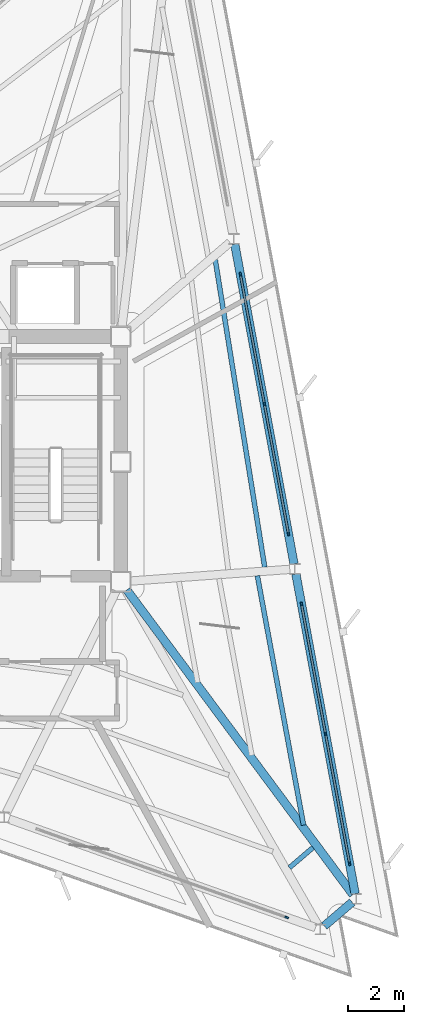
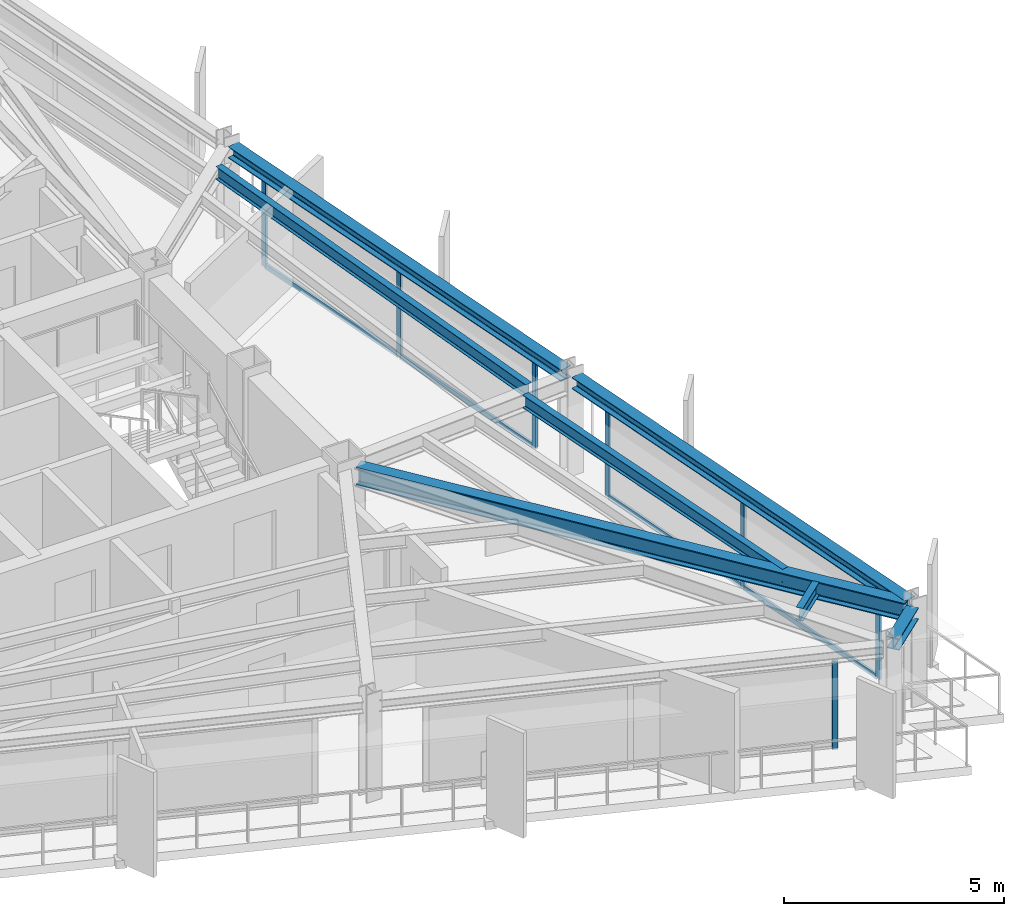
# One storey, part 6 of 14: 15 members, 7 beams, 3 elements without a shape of their own.
"""IFC4 building model written with IfcOpenShell, lengths in metres."""

from ifc_helpers import new_model, si_unit, direction, frame, origin, origin_2d, place, context, subcontext, project, spatial, rectangle, i_section, extrude, material, layer, layer_set, material_profile, profile_set, type_object, element, aggregate, save


model = new_model("IFC4")

# Units and contexts
model_context = context("Model", 3, precision=1e-05, world=origin(), true_north=direction((0.0, 1.0)))
body_context = subcontext(model_context, "Body", "Model", "MODEL_VIEW")
ifc_project = project(units=[si_unit("LENGTHUNIT", "METRE"), si_unit("AREAUNIT", "SQUARE_METRE"), si_unit("VOLUMEUNIT", "CUBIC_METRE"), si_unit("PLANEANGLEUNIT", "RADIAN"), si_unit("MASSUNIT", "GRAM", prefix="KILO")], contexts=[model_context])

# Site, building, storey
site_placement = place(None, origin())
site = spatial("IfcSite", under=ifc_project, at=site_placement, CompositionType="ELEMENT")
building_placement = place(site_placement, origin())
building = spatial("IfcBuilding", under=site, at=building_placement, Name="Rocaltana Carrier Exchange", CompositionType="ELEMENT")
storey_placement = place(building_placement, frame((0.0, 0.0, 178.39990234375)))
storey = spatial("IfcBuildingStorey", under=building, at=storey_placement, Name="L56", CompositionType="ELEMENT", Elevation=178.39990234375)

# Curtain wall, members
ifc_material_1 = material(Name="Aluminium 6063-T6", Category="aluminium")
ifc_layer = layer(ifc_material_1, 0.135009765625)
ifc_layer_set = layer_set([ifc_layer], Name="Aluminium 6063-T6")
curtain_wall_type = type_object("IfcCurtainWallType", Name="Upper-Mid Acoustic Curtain Wall CW-04", PredefinedType="NOTDEFINED", material=ifc_layer_set)
curtain_wall_1_placement = place(storey_placement, origin())
curtain_wall_1 = element("IfcCurtainWall", 1, at=curtain_wall_1_placement, inside=storey, type_object=curtain_wall_type, Name="L56 CW-04 Run CW-L56-F1S1", PredefinedType="NOTDEFINED")
ifc_material_2 = material(Name="Aluminium 6063-T6", Category="aluminium")
ifc_material_profile_1 = material_profile(ifc_material_2, rectangle(XDim=0.06494140625, YDim=0.135009765625, at=origin_2d()), Name="AL-65X135")
ifc_profile_set_1 = profile_set([ifc_material_profile_1], Name="Aluminium 6063-T6")
member_type_1 = type_object("IfcMemberType", Name="CW-04 Mullion AL-65X135", PredefinedType="MULLION", material=ifc_profile_set_1)
member_1_placement = place(storey_placement, frame((14.2587890625, -14.410400390625, 0.0), z_axis=(0.0, 0.0, 1.0), x_axis=(-0.98325514449, -0.182234247149, 0.0)))
member_1 = element("IfcMember", 2, at=member_1_placement, type_object=member_type_1, Name="CW-04 mullion 1", PredefinedType="MULLION", context=body_context, shape_type="SweptSolid", body=[
    extrude(rectangle(XDim=0.06494140625, YDim=0.135009765625, at=origin_2d()), origin(), (0.0, 0.0, 1.0), 2.447998046875),
])
member_2_placement = place(storey_placement, frame((13.39599609375, -9.75537109375, 0.0), z_axis=(0.0, 0.0, 1.0), x_axis=(-0.98325514449, -0.182234247149, 0.0)))
member_2 = element("IfcMember", 3, at=member_2_placement, type_object=member_type_1, Name="CW-04 mullion 2", PredefinedType="MULLION", context=body_context, shape_type="SweptSolid", body=[
    extrude(rectangle(XDim=0.06494140625, YDim=0.135009765625, at=origin_2d()), origin(), (0.0, 0.0, 1.0), 2.447998046875),
])
member_3_placement = place(storey_placement, frame((12.533203125, -5.1005859375, 0.0), z_axis=(0.0, 0.0, 1.0), x_axis=(-0.98325514449, -0.182234247149, 0.0)))
member_3 = element("IfcMember", 4, at=member_3_placement, type_object=member_type_1, Name="CW-04 mullion 3", PredefinedType="MULLION", context=body_context, shape_type="SweptSolid", body=[
    extrude(rectangle(XDim=0.06494140625, YDim=0.135009765625, at=origin_2d()), origin(), (0.0, 0.0, 1.0), 2.447998046875),
])

curtain_wall_2_placement = place(storey_placement, origin())
curtain_wall_2 = element("IfcCurtainWall", 5, at=curtain_wall_2_placement, inside=storey, type_object=curtain_wall_type, Name="L56 CW-04 Run CW-L56-F1S2", PredefinedType="NOTDEFINED")
member_4_placement = place(storey_placement, frame((12.06591796875, -2.578369140625, 0.0), z_axis=(0.0, 0.0, 1.0), x_axis=(-0.983254796134, -0.182236126712, 0.0)))
member_4 = element("IfcMember", 6, at=member_4_placement, type_object=member_type_1, Name="CW-04 mullion 1", PredefinedType="MULLION", context=body_context, shape_type="SweptSolid", body=[
    extrude(rectangle(XDim=0.06494140625, YDim=0.135009765625, at=origin_2d()), origin(), (0.0, 0.0, 1.0), 2.447998046875),
])
member_5_placement = place(storey_placement, frame((11.203125, 2.076416015625, 0.0), z_axis=(0.0, 0.0, 1.0), x_axis=(-0.983254796134, -0.182236126712, 0.0)))
member_5 = element("IfcMember", 7, at=member_5_placement, type_object=member_type_1, Name="CW-04 mullion 2", PredefinedType="MULLION", context=body_context, shape_type="SweptSolid", body=[
    extrude(rectangle(XDim=0.06494140625, YDim=0.135009765625, at=origin_2d()), origin(), (0.0, 0.0, 1.0), 2.447998046875),
])
member_6_placement = place(storey_placement, frame((10.34033203125, 6.731201171875, 0.0), z_axis=(0.0, 0.0, 1.0), x_axis=(-0.983254796134, -0.182236126712, 0.0)))
member_6 = element("IfcMember", 8, at=member_6_placement, type_object=member_type_1, Name="CW-04 mullion 3", PredefinedType="MULLION", context=body_context, shape_type="SweptSolid", body=[
    extrude(rectangle(XDim=0.06494140625, YDim=0.135009765625, at=origin_2d()), origin(), (0.0, 0.0, 1.0), 2.447998046875),
])

# Curtain wall, member
curtain_wall_3_placement = place(storey_placement, origin())
curtain_wall_3 = element("IfcCurtainWall", 9, at=curtain_wall_3_placement, inside=storey, type_object=curtain_wall_type, Name="L56 CW-04 Run CW-L56-F3S3", PredefinedType="NOTDEFINED")
member_7_placement = place(storey_placement, frame((12.00244140625, -16.33740234375, 0.0), z_axis=(0.0, 0.0, 1.0), x_axis=(0.333798791936, 0.942644347833, 0.0)))
member_7 = element("IfcMember", 10, at=member_7_placement, type_object=member_type_1, Name="CW-04 mullion 3", PredefinedType="MULLION", context=body_context, shape_type="SweptSolid", body=[
    extrude(rectangle(XDim=0.06494140625, YDim=0.135009765625, at=origin_2d()), origin(), (0.0, 0.0, 1.0), 2.447998046875),
])
aggregate(curtain_wall_3, [member_7])

# Member
ifc_material_3 = material(Name="Aluminium 6063-T6", Category="aluminium")
ifc_material_profile_2 = material_profile(ifc_material_3, rectangle(XDim=0.06494140625, YDim=0.135009765625, at=origin_2d()), Name="AL-65X135")
ifc_profile_set_2 = profile_set([ifc_material_profile_2], Name="Aluminium 6063-T6")
member_type_2 = type_object("IfcMemberType", Name="CW-04 Transom AL-65X135", PredefinedType="USERDEFINED", material=ifc_profile_set_2)
member_8_placement = place(storey_placement, frame((14.2529296875, -14.37841796875, 0.03271484375), z_axis=(-0.18227087305, 0.983248355624, 0.0), x_axis=(-0.983248355624, -0.18227087305, 0.0)))
member_8 = element("IfcMember", 11, at=member_8_placement, type_object=member_type_2, Name="CW-04 transom 1.1", ObjectType="TRANSOM", PredefinedType="USERDEFINED", context=body_context, shape_type="SweptSolid", body=[
    extrude(rectangle(XDim=0.06494140625, YDim=0.135009765625, at=origin_2d()), origin(), (0.0, 0.0, 1.0), 4.669189453125),
])

member_9_placement = place(storey_placement, frame((14.2529296875, -14.37841796875, 2.41552734375), z_axis=(-0.18227087305, 0.983248355624, 0.0), x_axis=(-0.983248355624, -0.18227087305, 0.0)))
member_9 = element("IfcMember", 12, at=member_9_placement, type_object=member_type_2, Name="CW-04 transom 1.2", ObjectType="TRANSOM", PredefinedType="USERDEFINED", context=body_context, shape_type="SweptSolid", body=[
    extrude(rectangle(XDim=0.06494140625, YDim=0.135009765625, at=origin_2d()), origin(), (0.0, 0.0, 1.0), 4.669189453125),
])

member_10_placement = place(storey_placement, frame((13.39013671875, -9.723388671875, 0.03271484375), z_axis=(-0.182229691605, 0.983255988793, 0.0), x_axis=(-0.983255988793, -0.182229691605, 0.0)))
member_10 = element("IfcMember", 13, at=member_10_placement, type_object=member_type_2, Name="CW-04 transom 2.1", ObjectType="TRANSOM", PredefinedType="USERDEFINED", context=body_context, shape_type="SweptSolid", body=[
    extrude(rectangle(XDim=0.06494140625, YDim=0.135009765625, at=origin_2d()), origin(), (0.0, 0.0, 1.0), 4.6689453125),
])

member_11_placement = place(storey_placement, frame((13.39013671875, -9.723388671875, 2.41552734375), z_axis=(-0.182229691605, 0.983255988793, 0.0), x_axis=(-0.983255988793, -0.182229691605, 0.0)))
member_11 = element("IfcMember", 14, at=member_11_placement, type_object=member_type_2, Name="CW-04 transom 2.2", ObjectType="TRANSOM", PredefinedType="USERDEFINED", context=body_context, shape_type="SweptSolid", body=[
    extrude(rectangle(XDim=0.06494140625, YDim=0.135009765625, at=origin_2d()), origin(), (0.0, 0.0, 1.0), 4.6689453125),
])

aggregate(curtain_wall_1, [member_1, member_2, member_3, member_8, member_9, member_10, member_11])

member_12_placement = place(storey_placement, frame((12.06005859375, -2.54638671875, 0.03271484375), z_axis=(-0.182280244188, 0.983246618392, 0.0), x_axis=(-0.983246618392, -0.182280244188, 0.0)))
member_12 = element("IfcMember", 15, at=member_12_placement, type_object=member_type_2, Name="CW-04 transom 1.1", ObjectType="TRANSOM", PredefinedType="USERDEFINED", context=body_context, shape_type="SweptSolid", body=[
    extrude(rectangle(XDim=0.06494140625, YDim=0.135009765625, at=origin_2d()), origin(), (0.0, 0.0, 1.0), 4.6689453125),
])

member_13_placement = place(storey_placement, frame((12.06005859375, -2.54638671875, 2.41552734375), z_axis=(-0.182280244188, 0.983246618392, 0.0), x_axis=(-0.983246618392, -0.182280244188, 0.0)))
member_13 = element("IfcMember", 16, at=member_13_placement, type_object=member_type_2, Name="CW-04 transom 1.2", ObjectType="TRANSOM", PredefinedType="USERDEFINED", context=body_context, shape_type="SweptSolid", body=[
    extrude(rectangle(XDim=0.06494140625, YDim=0.135009765625, at=origin_2d()), origin(), (0.0, 0.0, 1.0), 4.6689453125),
])

member_14_placement = place(storey_placement, frame((11.197265625, 2.1083984375, 0.03271484375), z_axis=(-0.182229691605, 0.983255988793, 0.0), x_axis=(-0.983255988793, -0.182229691605, 0.0)))
member_14 = element("IfcMember", 17, at=member_14_placement, type_object=member_type_2, Name="CW-04 transom 2.1", ObjectType="TRANSOM", PredefinedType="USERDEFINED", context=body_context, shape_type="SweptSolid", body=[
    extrude(rectangle(XDim=0.06494140625, YDim=0.135009765625, at=origin_2d()), origin(), (0.0, 0.0, 1.0), 4.6689453125),
])

member_15_placement = place(storey_placement, frame((11.197265625, 2.1083984375, 2.41552734375), z_axis=(-0.182229691605, 0.983255988793, 0.0), x_axis=(-0.983255988793, -0.182229691605, 0.0)))
member_15 = element("IfcMember", 18, at=member_15_placement, type_object=member_type_2, Name="CW-04 transom 2.2", ObjectType="TRANSOM", PredefinedType="USERDEFINED", context=body_context, shape_type="SweptSolid", body=[
    extrude(rectangle(XDim=0.06494140625, YDim=0.135009765625, at=origin_2d()), origin(), (0.0, 0.0, 1.0), 4.6689453125),
])

aggregate(curtain_wall_2, [member_4, member_5, member_6, member_12, member_13, member_14, member_15])

# Beams
ifc_material_4 = material(Name="Steel S355", Category="steel")
ifc_material_profile_3 = material_profile(ifc_material_4, i_section(OverallWidth=0.172119140625, OverallDepth=0.35791015625, WebThickness=0.0078125, FlangeThickness=0.01318359375, FilletRadius=0.011962890625, at=origin_2d()), Name="W14X38")
ifc_profile_set_3 = profile_set([ifc_material_profile_3], Name="Steel S355")
beam_type_1 = type_object("IfcBeamType", Name="Floor Joist W14X38", PredefinedType="JOIST", material=ifc_profile_set_3)
beam_1_placement = place(storey_placement, frame((12.60888671875, -13.028076171875, 2.619140625), z_axis=(-0.182235319361, 0.983254945768, 0.0), x_axis=(-0.983254945768, -0.182235319361, 0.0)))
element("IfcBeam", 19, at=beam_1_placement, inside=storey, type_object=beam_type_1, Name="FJ-L56-01-3", PredefinedType="JOIST", context=body_context, shape_type="SweptSolid", body=[
    extrude(i_section(OverallWidth=0.172119140625, OverallDepth=0.35791015625, WebThickness=0.0078125, FlangeThickness=0.01318359375, FilletRadius=0.011962890625, at=origin_2d()), origin(), (0.0, 0.0, 1.0), 9.097900390625),
])
beam_2_placement = place(storey_placement, frame((11.21435546875, -3.775634765625, 2.619140625), z_axis=(-0.158801706123, 0.987310497327, 0.0), x_axis=(-0.987310497327, -0.158801706123, 0.0)))
element("IfcBeam", 20, at=beam_2_placement, inside=storey, type_object=beam_type_1, Name="FJ-L56-02-3", PredefinedType="JOIST", context=body_context, shape_type="SweptSolid", body=[
    extrude(i_section(OverallWidth=0.172119140625, OverallDepth=0.35791015625, WebThickness=0.0078125, FlangeThickness=0.01318359375, FilletRadius=0.011962890625, at=origin_2d()), origin(), (0.0, 0.0, 1.0), 11.173828125),
])
beam_3_placement = place(storey_placement, frame((12.103515625, -14.552978515625, 2.619140625), z_axis=(0.760342005867, 0.649522928089, 0.0), x_axis=(-0.649522928089, 0.760342005867, 0.0)))
element("IfcBeam", 21, at=beam_3_placement, inside=storey, type_object=beam_type_1, Name="FJ-L56-12-3", PredefinedType="JOIST", context=body_context, shape_type="SweptSolid", body=[
    extrude(i_section(OverallWidth=0.172119140625, OverallDepth=0.35791015625, WebThickness=0.0078125, FlangeThickness=0.01318359375, FilletRadius=0.011962890625, at=origin_2d()), origin(), (0.0, 0.0, 1.0), 1.1103515625),
])
ifc_material_5 = material(Name="Steel S355", Category="steel")
ifc_material_profile_4 = material_profile(ifc_material_5, i_section(OverallWidth=0.300048828125, OverallDepth=0.320068359375, WebThickness=0.011474609375, FlangeThickness=0.0205078125, FilletRadius=0.027099609375, at=origin_2d()), Name="HEB320")
ifc_profile_set_4 = profile_set([ifc_material_profile_4], Name="Steel S355")
beam_type_2 = type_object("IfcBeamType", Name="Spandrel Edge Beam HEB320", PredefinedType="SPANDREL", material=ifc_profile_set_4)
beam_4_placement = place(storey_placement, frame((14.458740234375, -15.489013671875, 2.63818359375), z_axis=(-0.182231688163, 0.983255618763, 0.0), x_axis=(-0.983255618763, -0.182231688163, 0.0)))
element("IfcBeam", 22, at=beam_4_placement, inside=storey, type_object=beam_type_2, Name="SP-L56-01", PredefinedType="SPANDREL", context=body_context, shape_type="SweptSolid", body=[
    extrude(i_section(OverallWidth=0.300048828125, OverallDepth=0.320068359375, WebThickness=0.011474609375, FlangeThickness=0.0205078125, FilletRadius=0.027099609375, at=origin_2d()), origin(), (0.0, 0.0, 1.0), 11.662353515625),
])
beam_5_placement = place(storey_placement, frame((12.265869140625, -3.656982421875, 2.63818359375), z_axis=(-0.182255678448, 0.983251172221, 0.0), x_axis=(-0.983251172221, -0.182255678448, 0.0)))
element("IfcBeam", 23, at=beam_5_placement, inside=storey, type_object=beam_type_2, Name="SP-L56-02", PredefinedType="SPANDREL", context=body_context, shape_type="SweptSolid", body=[
    extrude(i_section(OverallWidth=0.300048828125, OverallDepth=0.320068359375, WebThickness=0.011474609375, FlangeThickness=0.0205078125, FilletRadius=0.027099609375, at=origin_2d()), origin(), (0.0, 0.0, 1.0), 11.662109375),
])
beam_6_placement = place(storey_placement, frame((13.352294921875, -16.64501953125, 2.63818359375), z_axis=(0.760488392831, 0.649351526039, 0.0), x_axis=(-0.649351526039, 0.760488392831, 0.0)))
element("IfcBeam", 24, at=beam_6_placement, inside=storey, type_object=beam_type_2, Name="SP-L56-12", PredefinedType="SPANDREL", context=body_context, shape_type="SweptSolid", body=[
    extrude(i_section(OverallWidth=0.300048828125, OverallDepth=0.320068359375, WebThickness=0.011474609375, FlangeThickness=0.0205078125, FilletRadius=0.027099609375, at=origin_2d()), origin(), (0.0, 0.0, 1.0), 1.313720703125),
])
ifc_material_6 = material(Name="Steel S355", Category="steel")
ifc_material_profile_5 = material_profile(ifc_material_6, i_section(OverallWidth=0.300048828125, OverallDepth=0.5, WebThickness=0.014404296875, FlangeThickness=0.028076171875, FilletRadius=0.027099609375, at=origin_2d()), Name="HEB500")
ifc_profile_set_5 = profile_set([ifc_material_profile_5], Name="Steel S355")
beam_type_3 = type_object("IfcBeamType", Name="Upper Radial Girder HEB500", PredefinedType="BEAM", material=ifc_profile_set_5)
beam_7_placement = place(storey_placement, frame((6.268798828125, -4.5947265625, 2.548095703125), z_axis=(0.596101049544, -0.802909421251, 0.0), x_axis=(0.802909421251, 0.596101049544, 0.0)))
element("IfcBeam", 25, at=beam_7_placement, inside=storey, type_object=beam_type_3, Name="RG-L56-01", PredefinedType="BEAM", context=body_context, shape_type="SweptSolid", body=[
    extrude(i_section(OverallWidth=0.300048828125, OverallDepth=0.5, WebThickness=0.014404296875, FlangeThickness=0.028076171875, FilletRadius=0.027099609375, at=origin_2d()), origin(), (0.0, 0.0, 1.0), 13.610107421875),
])

save(model, "model.ifc")
